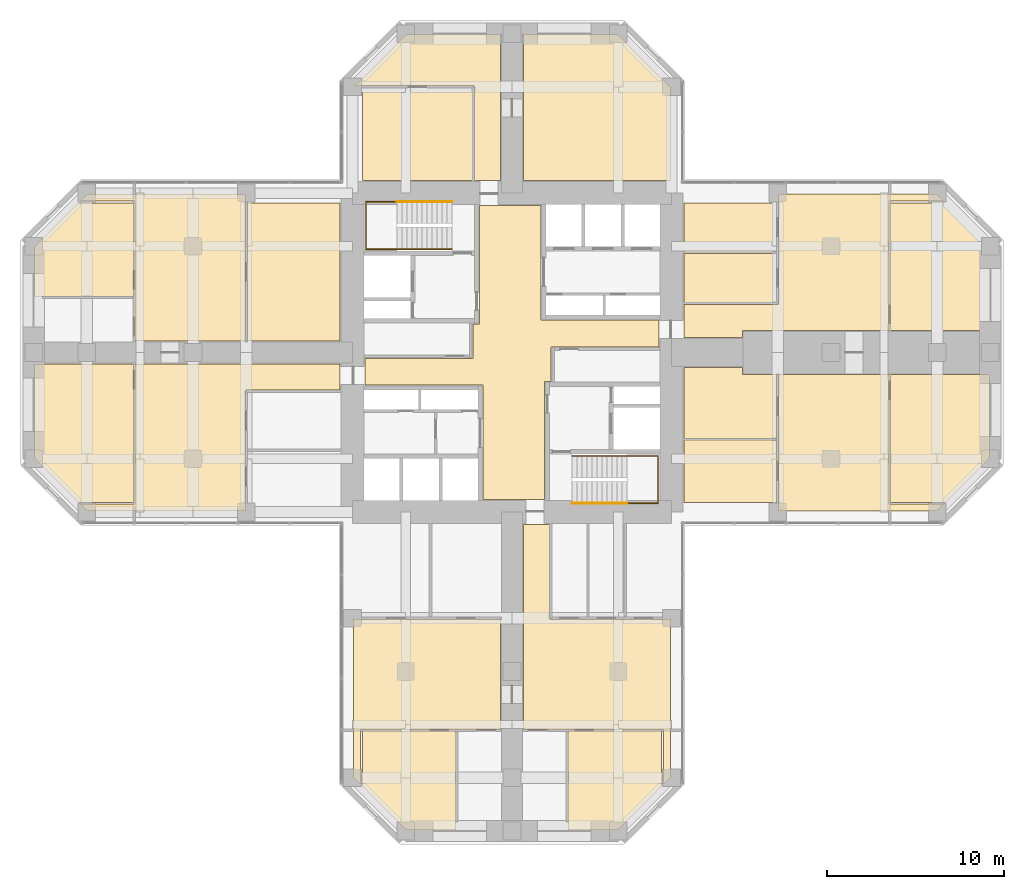
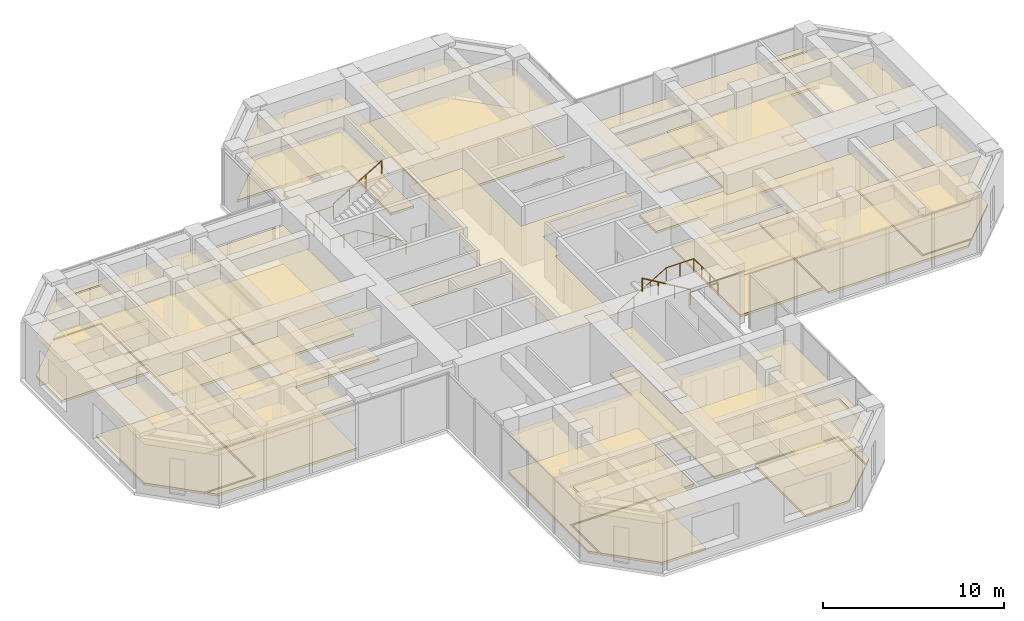
# One storey, part 13 of 13: 37 coverings, 4 railings.
"""IFC4 building model written with IfcOpenShell, lengths in metres."""

import ifcopenshell
import ifcopenshell.guid

model = None  # the IFC model being written
_history = None  # IfcOwnerHistory: only IFC2X3 demands one
_inside = {}  # id of a spatial element -> (the spatial element, [elements in it])
_under = {}  # id of a project, library or spatial element -> (it, [spatial elements below it])
_declared = {}  # id of a project -> (the project, [libraries it declares])
_typed = {}  # id of a type object -> (the type object, [elements of that type])
_made_of = {}  # id of a material, layer set ... -> (it, [elements and type objects made of it])


def new_model(schema):
    """Start an empty IFC model of exactly this schema.

    Asked for "IFC4X3", IfcOpenShell would pick the latest addendum, in which some entities
    have other attributes; the version numbers below select the first issue.
    IFC2X3 requires an IfcOwnerHistory on every rooted entity: one is made here for all.
    """
    global model, _history
    if schema == "IFC4X3":
        model = ifcopenshell.file(schema_version=(4, 3, 0, 0))
    else:
        model = ifcopenshell.file(schema=schema)
    _inside.clear()
    _under.clear()
    _declared.clear()
    _typed.clear()
    _made_of.clear()
    _history = None
    if model.schema == "IFC2X3":
        org = make("IfcOrganization", Name="unknown")
        user = make(
            "IfcPersonAndOrganization",
            ThePerson=make("IfcPerson", FamilyName="unknown"),
            TheOrganization=org,
        )
        app = make(
            "IfcApplication",
            ApplicationDeveloper=org,
            Version="unknown",
            ApplicationFullName="unknown",
            ApplicationIdentifier="unknown",
        )
        _history = make(
            "IfcOwnerHistory",
            OwningUser=user,
            OwningApplication=app,
            ChangeAction="ADDED",
            CreationDate=0,
        )
    return model


def make(cls, **values):
    """One entity of the class cls with the attributes given. An attribute that is None is left unset."""
    return model.create_entity(
        cls, **{name: value for name, value in values.items() if value is not None}
    )


def rooted(cls, **values):
    """An entity with a GlobalId (a new one), such as an element, a storey or a relation."""
    return make(cls, GlobalId=ifcopenshell.guid.new(), OwnerHistory=_history, **values)


def si_unit(unit_type, name, prefix=None):
    """IfcSIUnit, for example si_unit("LENGTHUNIT", "METRE", prefix="MILLI")."""
    return make("IfcSIUnit", UnitType=unit_type, Prefix=prefix, Name=name)


def assignment(units):
    """IfcUnitAssignment: the units of a project."""
    return None if units is None else make("IfcUnitAssignment", Units=units)


def point(xyz):
    """IfcCartesianPoint."""
    return None if xyz is None else make("IfcCartesianPoint", Coordinates=xyz)


def direction(xyz):
    """IfcDirection."""
    return None if xyz is None else make("IfcDirection", DirectionRatios=xyz)


def frame(location, z_axis=None, x_axis=None):
    """IfcAxis2Placement3D, a coordinate frame: its origin and axes. An axis left out is left unset."""
    return make(
        "IfcAxis2Placement3D",
        Location=point(location),
        Axis=direction(z_axis),
        RefDirection=direction(x_axis),
    )


def frame_2d(location, x_axis=None):
    """IfcAxis2Placement2D, a coordinate frame in the plane: its origin and x axis."""
    return make(
        "IfcAxis2Placement2D", Location=point(location), RefDirection=direction(x_axis)
    )


def origin():
    """The frame at (0, 0, 0) with its axes left unset."""
    return frame((0.0, 0.0, 0.0))


def origin_2d():
    """The frame at (0, 0) in the plane with its x axis left unset."""
    return frame_2d((0.0, 0.0))


def place(relative_to, where):
    """IfcLocalPlacement: puts the frame where relative to a parent placement (None: the world)."""
    return make(
        "IfcLocalPlacement", PlacementRelTo=relative_to, RelativePlacement=where
    )


def context(
    kind, dimensions, precision=None, world=None, true_north=None, identifier=None
):
    """IfcGeometricRepresentationContext, for example the 3D "Model" context."""
    return make(
        "IfcGeometricRepresentationContext",
        ContextIdentifier=identifier,
        ContextType=kind,
        CoordinateSpaceDimension=dimensions,
        Precision=precision,
        WorldCoordinateSystem=world,
        TrueNorth=true_north,
    )


def subcontext(parent, identifier, kind, view, scale=None):
    """IfcGeometricRepresentationSubContext, for example "Body" below "Model"."""
    return make(
        "IfcGeometricRepresentationSubContext",
        ContextIdentifier=identifier,
        ContextType=kind,
        ParentContext=parent,
        TargetScale=scale,
        TargetView=view,
    )


def project(units=None, contexts=None):
    """IfcProject with its units and contexts."""
    return rooted(
        "IfcProject",
        Name="project",
        RepresentationContexts=contexts,
        UnitsInContext=assignment(units),
    )


def spatial(cls, under=None, at=None, **own):
    """A site, building, storey or space (cls), placed at a placement, below another one or the project."""
    s = rooted(cls, ObjectPlacement=at, **own)
    if under is not None:
        _under.setdefault(under.id(), (under, []))[1].append(s)
    return s


def polyline(points):
    """IfcPolyline through the points."""
    return make("IfcPolyline", Points=[point(p) for p in points])


def profile(cls, at=None, kind="AREA", **sizes):
    """A parametric profile (cls). Its sizes go by their IFC names, for example OverallWidth=200.0."""
    return make(cls, ProfileType=kind, Position=at, **sizes)


def circle(**sizes):
    """IfcCircleProfileDef."""
    return profile("IfcCircleProfileDef", **sizes)


def outline(outer, holes=None, kind="AREA"):
    """IfcArbitraryClosedProfileDef: a profile drawn as a closed curve; with holes, ...WithVoids."""
    if holes is None:
        return make("IfcArbitraryClosedProfileDef", ProfileType=kind, OuterCurve=outer)
    return make(
        "IfcArbitraryProfileDefWithVoids",
        ProfileType=kind,
        OuterCurve=outer,
        InnerCurves=holes,
    )


def extrude(swept, where, along, depth):
    """IfcExtrudedAreaSolid: the profile swept, set in the frame where, extruded along a direction by depth."""
    return make(
        "IfcExtrudedAreaSolid",
        SweptArea=swept,
        Position=where,
        ExtrudedDirection=direction(along),
        Depth=depth,
    )


def shape(context_of_items, identifier, shape_type, items):
    """IfcShapeRepresentation: the items that make up one representation, for example the "Body"."""
    return make(
        "IfcShapeRepresentation",
        ContextOfItems=context_of_items,
        RepresentationIdentifier=identifier,
        RepresentationType=shape_type,
        Items=items,
    )


def material(Name=None, Category=None):
    """IfcMaterial."""
    return make("IfcMaterial", Name=Name, Category=Category)


def layer(
    of_material, thickness, ventilated=None, Name=None, Category=None, Priority=None
):
    """IfcMaterialLayer: one layer of a wall or slab, of a material (None: an air gap)."""
    return make(
        "IfcMaterialLayer",
        Material=of_material,
        LayerThickness=thickness,
        IsVentilated=ventilated,
        Name=Name,
        Category=Category,
        Priority=Priority,
    )


def layer_set(layers, Name=None):
    """IfcMaterialLayerSet."""
    return make("IfcMaterialLayerSet", MaterialLayers=layers, LayerSetName=Name)


def constituent(of_material, Name=None, Category=None, fraction=None):
    """IfcMaterialConstituent: one of the materials an element consists of."""
    return make(
        "IfcMaterialConstituent",
        Name=Name,
        Material=of_material,
        Fraction=fraction,
        Category=Category,
    )


def constituent_set(constituents=None, Name=None):
    """IfcMaterialConstituentSet."""
    return make(
        "IfcMaterialConstituentSet", Name=Name, MaterialConstituents=constituents
    )


def made_of(thing, what):
    """Note that an element or type object is made of a material, layer set ...; save() writes the relation."""
    if what is not None:
        _made_of.setdefault(what.id(), (what, []))[1].append(thing)
    return thing


def type_object(cls, material=None, **own):
    """A type object (cls), such as IfcWallType, which elements share."""
    return made_of(rooted(cls, **own), material)


def element(
    cls,
    number,
    at=None,
    inside=None,
    cuts=None,
    type_object=None,
    material=None,
    context=None,
    identifier="Body",
    shape_type=None,
    held_by="IfcProductDefinitionShape",
    body=None,
    shapes=None,
    **own,
):
    """One element of the class cls, such as IfcWall. Its Tag is "e" and its number.

    at: its placement. inside: the storey or other place that contains it. cuts: it is an
    opening in that element (IfcRelVoidsElement). A single representation is given by context,
    identifier, shape_type and body (its items); several are given by shapes. held_by: the class
    of the entity that holds the representations. save() writes the other relations.
    """
    e = rooted(cls, Tag="e%d" % number, ObjectPlacement=at, **own)
    if body is not None:
        shapes = [shape(context, identifier, shape_type, body)]
    if shapes is not None:
        e.Representation = make(held_by, Representations=shapes)
    if inside is not None:
        _inside.setdefault(inside.id(), (inside, []))[1].append(e)
    if cuts is not None:
        rooted(
            "IfcRelVoidsElement", RelatingBuildingElement=cuts, RelatedOpeningElement=e
        )
    if type_object is not None:
        _typed.setdefault(type_object.id(), (type_object, []))[1].append(e)
    return made_of(e, material)


def aggregate(whole, parts):
    """IfcRelAggregates: a whole, such as a stair, and the parts it consists of."""
    return rooted("IfcRelAggregates", RelatingObject=whole, RelatedObjects=parts)


def save(model, path):
    """Write the relations noted so far, then the file.

    IfcRelAggregates (storeys below a building ...), IfcRelContainedInSpatialStructure (elements
    in a storey), IfcRelDefinesByType, IfcRelAssociatesMaterial and IfcRelDeclares: one each for
    every whole, place, type object, material and project.
    """
    for whole, parts in _under.values():
        aggregate(whole, parts)
    for where, things in _inside.values():
        rooted(
            "IfcRelContainedInSpatialStructure",
            RelatedElements=things,
            RelatingStructure=where,
        )
    for kind, things in _typed.values():
        rooted("IfcRelDefinesByType", RelatedObjects=things, RelatingType=kind)
    for what, things in _made_of.values():
        rooted("IfcRelAssociatesMaterial", RelatedObjects=things, RelatingMaterial=what)
    for by, libraries in _declared.values():
        rooted("IfcRelDeclares", RelatingContext=by, RelatedDefinitions=libraries)
    model.write(path)


model = new_model("IFC4")

# Units and contexts
model_context = context("Model", 3, precision=1e-05, world=origin(), true_north=direction((0.0, 1.0)))
body_context = subcontext(model_context, "Body", "Model", "MODEL_VIEW")
ifc_project = project(units=[si_unit("LENGTHUNIT", "METRE"), si_unit("AREAUNIT", "SQUARE_METRE"), si_unit("VOLUMEUNIT", "CUBIC_METRE"), si_unit("PLANEANGLEUNIT", "RADIAN"), si_unit("MASSUNIT", "GRAM", prefix="KILO")], contexts=[model_context])

# Site, building, storey
site_placement = place(None, origin())
site = spatial("IfcSite", under=ifc_project, at=site_placement, CompositionType="ELEMENT")
building_placement = place(site_placement, origin())
building = spatial("IfcBuilding", under=site, at=building_placement, Name="Torre Cruceta", CompositionType="ELEMENT")
storey_placement = place(building_placement, frame((0.0, 0.0, 160.5)))
storey = spatial("IfcBuildingStorey", under=building, at=storey_placement, Name="L39", CompositionType="ELEMENT", Elevation=160.5)

# Railings
ifc_material_1 = material(Name="Stainless steel 1.4401", Category="steel")
railing_type = type_object("IfcRailingType", Name="HANDRAIL 900", PredefinedType="HANDRAIL", material=ifc_material_1)
railing_1_placement = place(storey_placement, frame((-3.39990234375, 5.8349609375, 0.166748046875)))
element("IfcRailing", 1, at=railing_1_placement, inside=storey, type_object=railing_type, Name="Handrail HR1 ST1 L39", PredefinedType="HANDRAIL", context=body_context, shape_type="SweptSolid", body=[
    extrude(circle(Radius=0.02392578125, at=origin_2d()), frame((0.0, 0.0, 0.8759765625), z_axis=(-0.859308565015, 0.0, 0.511457515432), x_axis=(0.0, -1.0, 0.0)), (0.0, 0.0, 1.0), 3.58447265625),
    extrude(circle(Radius=0.02392578125, at=origin_2d()), frame((-3.080078125, 0.0, 2.708984375), z_axis=(-1.0, 0.0, 0.0), x_axis=(0.0, -1.0, 0.0)), (0.0, 0.0, 1.0), 1.760009765625),
    extrude(circle(Radius=0.02392578125, at=origin_2d()), frame((-4.840087890625, 0.0, 2.708984375), z_axis=(0.0, 1.0, 0.0), x_axis=(-1.0, 0.0, 0.0)), (0.0, 0.0, 1.0), 2.679931640625),
    extrude(circle(Radius=0.02392578125, at=origin_2d()), frame((-4.840087890625, 2.679931640625, 2.708984375), z_axis=(1.0, 0.0, 0.0), x_axis=(0.0, 1.0, 0.0)), (0.0, 0.0, 1.0), 1.760009765625),
    extrude(circle(Radius=0.02099609375, at=origin_2d()), origin(), (0.0, 0.0, 1.0), 0.851806640625),
    extrude(circle(Radius=0.02099609375, at=origin_2d()), frame((-1.026611328125, 0.0, 0.611083984375)), (0.0, 0.0, 1.0), 0.851806640625),
    extrude(circle(Radius=0.02099609375, at=origin_2d()), frame((-2.053466796875, 0.0, 1.22216796875)), (0.0, 0.0, 1.0), 0.851806640625),
    extrude(circle(Radius=0.02099609375, at=origin_2d()), frame((-3.080078125, 0.0, 1.833251953125)), (0.0, 0.0, 1.0), 0.851806640625),
    extrude(circle(Radius=0.02099609375, at=origin_2d()), frame((-3.9599609375, 0.0, 1.833251953125)), (0.0, 0.0, 1.0), 0.851806640625),
    extrude(circle(Radius=0.02099609375, at=origin_2d()), frame((-4.840087890625, 0.0, 1.833251953125)), (0.0, 0.0, 1.0), 0.851806640625),
    extrude(circle(Radius=0.02099609375, at=origin_2d()), frame((-4.840087890625, 0.893310546875, 1.833251953125)), (0.0, 0.0, 1.0), 0.851806640625),
    extrude(circle(Radius=0.02099609375, at=origin_2d()), frame((-4.840087890625, 1.78662109375, 1.833251953125)), (0.0, 0.0, 1.0), 0.851806640625),
    extrude(circle(Radius=0.02099609375, at=origin_2d()), frame((-4.840087890625, 2.679931640625, 1.833251953125)), (0.0, 0.0, 1.0), 0.851806640625),
    extrude(circle(Radius=0.02099609375, at=origin_2d()), frame((-3.9599609375, 2.679931640625, 1.833251953125)), (0.0, 0.0, 1.0), 0.851806640625),
    extrude(circle(Radius=0.02099609375, at=origin_2d()), frame((-3.080078125, 2.679931640625, 1.833251953125)), (0.0, 0.0, 1.0), 0.851806640625),
])
railing_2_placement = place(storey_placement, frame((-6.47998046875, 8.514892578125, 2.166748046875)))
element("IfcRailing", 2, at=railing_2_placement, inside=storey, type_object=railing_type, Name="Handrail HR1 ST1 L39", PredefinedType="HANDRAIL", context=body_context, shape_type="SweptSolid", body=[
    extrude(circle(Radius=0.02392578125, at=origin_2d()), frame((0.0, 0.0, 0.8759765625), z_axis=(0.859308565015, 0.0, 0.511457515432), x_axis=(0.0, 1.0, 0.0)), (0.0, 0.0, 1.0), 3.58447265625),
    extrude(circle(Radius=0.02099609375, at=origin_2d()), origin(), (0.0, 0.0, 1.0), 0.851806640625),
    extrude(circle(Radius=0.02099609375, at=origin_2d()), frame((1.026611328125, 0.0, 0.611083984375)), (0.0, 0.0, 1.0), 0.851806640625),
    extrude(circle(Radius=0.02099609375, at=origin_2d()), frame((2.053466796875, 0.0, 1.22216796875)), (0.0, 0.0, 1.0), 0.851806640625),
    extrude(circle(Radius=0.02099609375, at=origin_2d()), frame((3.080078125, 0.0, 1.833251953125)), (0.0, 0.0, 1.0), 0.851806640625),
])
railing_3_placement = place(storey_placement, frame((3.39990234375, -5.8349609375, 0.166748046875)))
element("IfcRailing", 3, at=railing_3_placement, inside=storey, type_object=railing_type, Name="Handrail HR1 ST2 L39", PredefinedType="HANDRAIL", context=body_context, shape_type="SweptSolid", body=[
    extrude(circle(Radius=0.02392578125, at=origin_2d()), frame((0.0, 0.0, 0.8759765625), z_axis=(0.859308565015, 0.0, 0.511457515432), x_axis=(0.0, 1.0, 0.0)), (0.0, 0.0, 1.0), 3.58447265625),
    extrude(circle(Radius=0.02392578125, at=origin_2d()), frame((3.080078125, 0.0, 2.708984375), z_axis=(1.0, 0.0, 0.0), x_axis=(0.0, 1.0, 0.0)), (0.0, 0.0, 1.0), 1.760009765625),
    extrude(circle(Radius=0.02392578125, at=origin_2d()), frame((4.840087890625, 0.0, 2.708984375), z_axis=(0.0, -1.0, 0.0), x_axis=(1.0, 0.0, 0.0)), (0.0, 0.0, 1.0), 2.679931640625),
    extrude(circle(Radius=0.02392578125, at=origin_2d()), frame((4.840087890625, -2.679931640625, 2.708984375), z_axis=(-1.0, 0.0, 0.0), x_axis=(0.0, -1.0, 0.0)), (0.0, 0.0, 1.0), 1.760009765625),
    extrude(circle(Radius=0.02099609375, at=origin_2d()), origin(), (0.0, 0.0, 1.0), 0.851806640625),
    extrude(circle(Radius=0.02099609375, at=origin_2d()), frame((1.026611328125, 0.0, 0.611083984375)), (0.0, 0.0, 1.0), 0.851806640625),
    extrude(circle(Radius=0.02099609375, at=origin_2d()), frame((2.053466796875, 0.0, 1.22216796875)), (0.0, 0.0, 1.0), 0.851806640625),
    extrude(circle(Radius=0.02099609375, at=origin_2d()), frame((3.080078125, 0.0, 1.833251953125)), (0.0, 0.0, 1.0), 0.851806640625),
    extrude(circle(Radius=0.02099609375, at=origin_2d()), frame((3.9599609375, 0.0, 1.833251953125)), (0.0, 0.0, 1.0), 0.851806640625),
    extrude(circle(Radius=0.02099609375, at=origin_2d()), frame((4.840087890625, 0.0, 1.833251953125)), (0.0, 0.0, 1.0), 0.851806640625),
    extrude(circle(Radius=0.02099609375, at=origin_2d()), frame((4.840087890625, -0.893310546875, 1.833251953125)), (0.0, 0.0, 1.0), 0.851806640625),
    extrude(circle(Radius=0.02099609375, at=origin_2d()), frame((4.840087890625, -1.78662109375, 1.833251953125)), (0.0, 0.0, 1.0), 0.851806640625),
    extrude(circle(Radius=0.02099609375, at=origin_2d()), frame((4.840087890625, -2.679931640625, 1.833251953125)), (0.0, 0.0, 1.0), 0.851806640625),
    extrude(circle(Radius=0.02099609375, at=origin_2d()), frame((3.9599609375, -2.679931640625, 1.833251953125)), (0.0, 0.0, 1.0), 0.851806640625),
    extrude(circle(Radius=0.02099609375, at=origin_2d()), frame((3.080078125, -2.679931640625, 1.833251953125)), (0.0, 0.0, 1.0), 0.851806640625),
])
railing_4_placement = place(storey_placement, frame((6.47998046875, -8.514892578125, 2.166748046875)))
element("IfcRailing", 4, at=railing_4_placement, inside=storey, type_object=railing_type, Name="Handrail HR1 ST2 L39", PredefinedType="HANDRAIL", context=body_context, shape_type="SweptSolid", body=[
    extrude(circle(Radius=0.02392578125, at=origin_2d()), frame((0.0, 0.0, 0.8759765625), z_axis=(-0.859308565015, 0.0, 0.511457515432), x_axis=(0.0, -1.0, 0.0)), (0.0, 0.0, 1.0), 3.58447265625),
    extrude(circle(Radius=0.02099609375, at=origin_2d()), origin(), (0.0, 0.0, 1.0), 0.851806640625),
    extrude(circle(Radius=0.02099609375, at=origin_2d()), frame((-1.026611328125, 0.0, 0.611083984375)), (0.0, 0.0, 1.0), 0.851806640625),
    extrude(circle(Radius=0.02099609375, at=origin_2d()), frame((-2.053466796875, 0.0, 1.22216796875)), (0.0, 0.0, 1.0), 0.851806640625),
    extrude(circle(Radius=0.02099609375, at=origin_2d()), frame((-3.080078125, 0.0, 1.833251953125)), (0.0, 0.0, 1.0), 0.851806640625),
])

# Coverings
ifc_material_2 = material(Name="Steel DX51D", Category="steel")
ifc_constituent_1 = constituent(ifc_material_2, Name="Panel casing")
ifc_material_3 = material(Name="Calcium sulphate", Category="gypsum")
ifc_constituent_2 = constituent(ifc_material_3, Name="Panel core")
ifc_constituent_set = constituent_set(constituents=[ifc_constituent_1, ifc_constituent_2], Name="Raised access floor panel")
covering_type_1 = type_object("IfcCoveringType", Name="RAISED ACCESS FLOOR 150", PredefinedType="FLOORING", material=ifc_constituent_set)
covering_1_placement = place(storey_placement, origin())
element("IfcCovering", 5, at=covering_1_placement, inside=storey, type_object=covering_type_1, Name="Raised floor L39-026", PredefinedType="FLOORING", context=body_context, shape_type="SweptSolid", body=[
    extrude(outline(polyline([(-0.64990234375, 17.949951171875), (-0.64990234375, 9.699951171875), (-2.125, 9.699951171875), (-2.125, 15.050048828125), (-8.87939453125, 15.050048828125), (-5.979248046875, 17.949951171875), (-0.64990234375, 17.949951171875)])), origin(), (0.0, 0.0, 1.0), 0.14990234375),
])
covering_2_placement = place(storey_placement, origin())
element("IfcCovering", 6, at=covering_2_placement, inside=storey, type_object=covering_type_1, Name="Raised floor L39-027", PredefinedType="FLOORING", context=body_context, shape_type="SweptSolid", body=[
    extrude(outline(polyline([(5.979248046875, 17.949951171875), (8.949951171875, 14.979248046875), (8.949951171875, 9.699951171875), (0.64990234375, 9.699951171875), (0.64990234375, 17.949951171875), (5.979248046875, 17.949951171875)])), origin(), (0.0, 0.0, 1.0), 0.14990234375),
])
covering_3_placement = place(storey_placement, origin())
element("IfcCovering", 7, at=covering_3_placement, inside=storey, type_object=covering_type_1, Name="Raised floor L39-030", PredefinedType="FLOORING", context=body_context, shape_type="SweptSolid", body=[
    extrude(outline(polyline([(14.949951171875, -4.85009765625), (9.699951171875, -4.85009765625), (9.699951171875, -0.85009765625), (13.0, -0.85009765625), (13.0, -1.25), (14.949951171875, -1.25), (14.949951171875, -4.85009765625)])), origin(), (0.0, 0.0, 1.0), 0.14990234375),
])
covering_4_placement = place(storey_placement, origin())
element("IfcCovering", 8, at=covering_4_placement, inside=storey, type_object=covering_type_1, Name="Raised floor L39-031", PredefinedType="FLOORING", context=body_context, shape_type="SweptSolid", body=[
    extrude(outline(polyline([(9.699951171875, -8.449951171875), (9.699951171875, -4.949951171875), (14.949951171875, -4.949951171875), (14.949951171875, -8.449951171875), (9.699951171875, -8.449951171875)])), origin(), (0.0, 0.0, 1.0), 0.14990234375),
])
covering_5_placement = place(storey_placement, origin())
element("IfcCovering", 9, at=covering_5_placement, inside=storey, type_object=covering_type_1, Name="Raised floor L39-033", PredefinedType="FLOORING", context=body_context, shape_type="SweptSolid", body=[
    extrude(outline(polyline([(24.479248046875, -8.449951171875), (21.3701171875, -8.449951171875), (21.3701171875, -1.25), (26.949951171875, -1.25), (26.949951171875, -5.979248046875), (24.479248046875, -8.449951171875)])), origin(), (0.0, 0.0, 1.0), 0.14990234375),
])
covering_6_placement = place(storey_placement, origin())
element("IfcCovering", 10, at=covering_6_placement, inside=storey, type_object=covering_type_1, Name="Raised floor L39-034", PredefinedType="FLOORING", context=body_context, shape_type="SweptSolid", body=[
    extrude(outline(polyline([(9.699951171875, 2.72509765625), (15.050048828125, 2.72509765625), (15.050048828125, 8.949951171875), (23.979248046875, 8.949951171875), (24.37939453125, 8.550048828125), (21.27001953125, 8.550048828125), (21.27001953125, 1.25), (13.0, 1.25), (13.0, 0.85009765625), (9.699951171875, 0.85009765625), (9.699951171875, 2.72509765625)])), origin(), (0.0, 0.0, 1.0), 0.14990234375),
])
covering_7_placement = place(storey_placement, origin())
element("IfcCovering", 11, at=covering_7_placement, inside=storey, type_object=covering_type_1, Name="Raised floor L39-035", PredefinedType="FLOORING", context=body_context, shape_type="SweptSolid", body=[
    extrude(outline(polyline([(15.050048828125, -8.949951171875), (15.050048828125, -1.25), (21.27001953125, -1.25), (21.27001953125, -8.550048828125), (24.37939453125, -8.550048828125), (23.979248046875, -8.949951171875), (15.050048828125, -8.949951171875)])), origin(), (0.0, 0.0, 1.0), 0.14990234375),
])
covering_8_placement = place(storey_placement, origin())
element("IfcCovering", 12, at=covering_8_placement, inside=storey, type_object=covering_type_1, Name="Raised floor L39-042", PredefinedType="FLOORING", context=body_context, shape_type="SweptSolid", body=[
    extrude(outline(polyline([(3.16796875, -26.949951171875), (3.16796875, -21.3701171875), (8.449951171875, -21.3701171875), (8.449951171875, -24.479248046875), (5.979248046875, -26.949951171875), (3.16796875, -26.949951171875)])), origin(), (0.0, 0.0, 1.0), 0.14990234375),
])
covering_9_placement = place(storey_placement, origin())
element("IfcCovering", 13, at=covering_9_placement, inside=storey, type_object=covering_type_1, Name="Raised floor L39-044", PredefinedType="FLOORING", context=body_context, shape_type="SweptSolid", body=[
    extrude(outline(polyline([(-8.449951171875, -24.479248046875), (-8.449951171875, -21.3701171875), (-3.16796875, -21.3701171875), (-3.16796875, -26.949951171875), (-5.979248046875, -26.949951171875), (-8.449951171875, -24.479248046875)])), origin(), (0.0, 0.0, 1.0), 0.14990234375),
])
covering_10_placement = place(storey_placement, origin())
element("IfcCovering", 14, at=covering_10_placement, inside=storey, type_object=covering_type_1, Name="Raised floor L39-045", PredefinedType="FLOORING", context=body_context, shape_type="SweptSolid", body=[
    extrude(outline(polyline([(2.125, -9.699951171875), (2.125, -15.050048828125), (8.949951171875, -15.050048828125), (8.949951171875, -23.979248046875), (8.550048828125, -24.37939453125), (8.550048828125, -21.27001953125), (0.64990234375, -21.27001953125), (0.64990234375, -9.699951171875), (2.125, -9.699951171875)])), origin(), (0.0, 0.0, 1.0), 0.14990234375),
])
covering_11_placement = place(storey_placement, origin())
element("IfcCovering", 15, at=covering_11_placement, inside=storey, type_object=covering_type_1, Name="Raised floor L39-046", PredefinedType="FLOORING", context=body_context, shape_type="SweptSolid", body=[
    extrude(outline(polyline([(-8.949951171875, -15.050048828125), (-0.64990234375, -15.050048828125), (-0.64990234375, -21.27001953125), (-8.550048828125, -21.27001953125), (-8.550048828125, -24.37939453125), (-8.949951171875, -23.979248046875), (-8.949951171875, -15.050048828125)])), origin(), (0.0, 0.0, 1.0), 0.14990234375),
])
covering_12_placement = place(storey_placement, origin())
element("IfcCovering", 16, at=covering_12_placement, inside=storey, type_object=covering_type_1, Name="Raised floor L39-049", PredefinedType="FLOORING", context=body_context, shape_type="SweptSolid", body=[
    extrude(outline(polyline([(-9.699951171875, 8.449951171875), (-9.699951171875, 0.64990234375), (-14.949951171875, 0.64990234375), (-14.949951171875, 8.449951171875), (-9.699951171875, 8.449951171875)])), origin(), (0.0, 0.0, 1.0), 0.14990234375),
])
covering_13_placement = place(storey_placement, origin())
element("IfcCovering", 17, at=covering_13_placement, inside=storey, type_object=covering_type_1, Name="Raised floor L39-050", PredefinedType="FLOORING", context=body_context, shape_type="SweptSolid", body=[
    extrude(outline(polyline([(-26.949951171875, -0.64990234375), (-21.3701171875, -0.64990234375), (-21.3701171875, -8.449951171875), (-24.479248046875, -8.449951171875), (-26.949951171875, -5.979248046875), (-26.949951171875, -0.64990234375)])), origin(), (0.0, 0.0, 1.0), 0.14990234375),
])
covering_14_placement = place(storey_placement, origin())
element("IfcCovering", 18, at=covering_14_placement, inside=storey, type_object=covering_type_1, Name="Raised floor L39-052", PredefinedType="FLOORING", context=body_context, shape_type="SweptSolid", body=[
    extrude(outline(polyline([(-24.479248046875, 8.449951171875), (-21.3701171875, 8.449951171875), (-21.3701171875, 3.16796875), (-26.949951171875, 3.16796875), (-26.949951171875, 5.979248046875), (-24.479248046875, 8.449951171875)])), origin(), (0.0, 0.0, 1.0), 0.14990234375),
])
covering_15_placement = place(storey_placement, origin())
element("IfcCovering", 19, at=covering_15_placement, inside=storey, type_object=covering_type_1, Name="Raised floor L39-053", PredefinedType="FLOORING", context=body_context, shape_type="SweptSolid", body=[
    extrude(outline(polyline([(-9.699951171875, -2.125), (-15.050048828125, -2.125), (-15.050048828125, -8.949951171875), (-23.979248046875, -8.949951171875), (-24.37939453125, -8.550048828125), (-21.27001953125, -8.550048828125), (-21.27001953125, -0.64990234375), (-9.699951171875, -0.64990234375), (-9.699951171875, -2.125)])), origin(), (0.0, 0.0, 1.0), 0.14990234375),
])
covering_16_placement = place(storey_placement, origin())
element("IfcCovering", 20, at=covering_16_placement, inside=storey, type_object=covering_type_1, Name="Raised floor L39-054", PredefinedType="FLOORING", context=body_context, shape_type="SweptSolid", body=[
    extrude(outline(polyline([(-15.050048828125, 8.949951171875), (-15.050048828125, 0.64990234375), (-21.27001953125, 0.64990234375), (-21.27001953125, 8.550048828125), (-24.37939453125, 8.550048828125), (-23.979248046875, 8.949951171875), (-15.050048828125, 8.949951171875)])), origin(), (0.0, 0.0, 1.0), 0.14990234375),
])
ifc_material_4 = material(Name="Mineral fibre ceiling tile", Category="gypsum")
ifc_layer = layer(ifc_material_4, 0.02001953125)
ifc_layer_set = layer_set([ifc_layer], Name="Mineral fibre ceiling tile")
covering_type_2 = type_object("IfcCoveringType", Name="SUSPENDED CEILING 20", PredefinedType="CEILING", material=ifc_layer_set)
covering_17_placement = place(storey_placement, frame((0.0, 0.0, 2.72998046875)))
element("IfcCovering", 21, at=covering_17_placement, inside=storey, type_object=covering_type_2, Name="Ceiling L39-001", PredefinedType="CEILING", context=body_context, shape_type="SweptSolid", body=[
    extrude(outline(polyline([(1.824951171875, -8.300048828125), (-1.625, -8.300048828125), (-1.625, -1.824951171875), (-8.300048828125, -1.824951171875), (-8.300048828125, -0.324951171875), (-2.199951171875, -0.324951171875), (-2.199951171875, 1.625), (-1.824951171875, 1.625), (-1.824951171875, 8.300048828125), (1.625, 8.300048828125), (1.625, 1.824951171875), (8.300048828125, 1.824951171875), (8.300048828125, 0.324951171875), (2.199951171875, 0.324951171875), (2.199951171875, -1.625), (1.824951171875, -1.625), (1.824951171875, -8.300048828125)])), origin(), (0.0, 0.0, 1.0), 0.02001953125),
])
covering_18_placement = place(storey_placement, frame((0.0, 0.0, 2.72998046875)))
element("IfcCovering", 22, at=covering_18_placement, inside=storey, type_object=covering_type_2, Name="Ceiling L39-025", PredefinedType="CEILING", context=body_context, shape_type="SweptSolid", body=[
    extrude(outline(polyline([(-2.22509765625, 9.699951171875), (-8.449951171875, 9.699951171875), (-8.449951171875, 14.949951171875), (-2.22509765625, 14.949951171875), (-2.22509765625, 9.699951171875)])), origin(), (0.0, 0.0, 1.0), 0.02001953125),
])
covering_19_placement = place(storey_placement, frame((0.0, 0.0, 2.72998046875)))
element("IfcCovering", 23, at=covering_19_placement, inside=storey, type_object=covering_type_2, Name="Ceiling L39-026", PredefinedType="CEILING", context=body_context, shape_type="SweptSolid", body=[
    extrude(outline(polyline([(-0.64990234375, 17.949951171875), (-0.64990234375, 9.699951171875), (-2.125, 9.699951171875), (-2.125, 15.050048828125), (-8.87939453125, 15.050048828125), (-5.979248046875, 17.949951171875), (-0.64990234375, 17.949951171875)])), origin(), (0.0, 0.0, 1.0), 0.02001953125),
])
covering_20_placement = place(storey_placement, frame((0.0, 0.0, 2.72998046875)))
element("IfcCovering", 24, at=covering_20_placement, inside=storey, type_object=covering_type_2, Name="Ceiling L39-027", PredefinedType="CEILING", context=body_context, shape_type="SweptSolid", body=[
    extrude(outline(polyline([(5.979248046875, 17.949951171875), (8.949951171875, 14.979248046875), (8.949951171875, 9.699951171875), (0.64990234375, 9.699951171875), (0.64990234375, 17.949951171875), (5.979248046875, 17.949951171875)])), origin(), (0.0, 0.0, 1.0), 0.02001953125),
])
covering_21_placement = place(storey_placement, frame((0.0, 0.0, 2.72998046875)))
element("IfcCovering", 25, at=covering_21_placement, inside=storey, type_object=covering_type_2, Name="Ceiling L39-028", PredefinedType="CEILING", context=body_context, shape_type="SweptSolid", body=[
    extrude(outline(polyline([(9.699951171875, 2.824951171875), (9.699951171875, 5.58740234375), (14.949951171875, 5.58740234375), (14.949951171875, 2.824951171875), (9.699951171875, 2.824951171875)])), origin(), (0.0, 0.0, 1.0), 0.02001953125),
])
covering_22_placement = place(storey_placement, frame((0.0, 0.0, 2.72998046875)))
element("IfcCovering", 26, at=covering_22_placement, inside=storey, type_object=covering_type_2, Name="Ceiling L39-029", PredefinedType="CEILING", context=body_context, shape_type="SweptSolid", body=[
    extrude(outline(polyline([(9.699951171875, 5.6875), (9.699951171875, 8.449951171875), (14.949951171875, 8.449951171875), (14.949951171875, 5.6875), (9.699951171875, 5.6875)])), origin(), (0.0, 0.0, 1.0), 0.02001953125),
])
covering_23_placement = place(storey_placement, frame((0.0, 0.0, 2.72998046875)))
element("IfcCovering", 27, at=covering_23_placement, inside=storey, type_object=covering_type_2, Name="Ceiling L39-030", PredefinedType="CEILING", context=body_context, shape_type="SweptSolid", body=[
    extrude(outline(polyline([(14.949951171875, -4.85009765625), (9.699951171875, -4.85009765625), (9.699951171875, -0.85009765625), (13.0, -0.85009765625), (13.0, -1.25), (14.949951171875, -1.25), (14.949951171875, -4.85009765625)])), origin(), (0.0, 0.0, 1.0), 0.02001953125),
])
covering_24_placement = place(storey_placement, frame((0.0, 0.0, 2.72998046875)))
element("IfcCovering", 28, at=covering_24_placement, inside=storey, type_object=covering_type_2, Name="Ceiling L39-031", PredefinedType="CEILING", context=body_context, shape_type="SweptSolid", body=[
    extrude(outline(polyline([(9.699951171875, -8.449951171875), (9.699951171875, -4.949951171875), (14.949951171875, -4.949951171875), (14.949951171875, -8.449951171875), (9.699951171875, -8.449951171875)])), origin(), (0.0, 0.0, 1.0), 0.02001953125),
])
covering_25_placement = place(storey_placement, frame((0.0, 0.0, 2.72998046875)))
element("IfcCovering", 29, at=covering_25_placement, inside=storey, type_object=covering_type_2, Name="Ceiling L39-032", PredefinedType="CEILING", context=body_context, shape_type="SweptSolid", body=[
    extrude(outline(polyline([(26.949951171875, 1.25), (21.3701171875, 1.25), (21.3701171875, 8.449951171875), (24.479248046875, 8.449951171875), (26.949951171875, 5.979248046875), (26.949951171875, 1.25)])), origin(), (0.0, 0.0, 1.0), 0.02001953125),
])
covering_26_placement = place(storey_placement, frame((0.0, 0.0, 2.72998046875)))
element("IfcCovering", 30, at=covering_26_placement, inside=storey, type_object=covering_type_2, Name="Ceiling L39-033", PredefinedType="CEILING", context=body_context, shape_type="SweptSolid", body=[
    extrude(outline(polyline([(24.479248046875, -8.449951171875), (21.3701171875, -8.449951171875), (21.3701171875, -1.25), (26.949951171875, -1.25), (26.949951171875, -5.979248046875), (24.479248046875, -8.449951171875)])), origin(), (0.0, 0.0, 1.0), 0.02001953125),
])
covering_27_placement = place(storey_placement, frame((0.0, 0.0, 2.72998046875)))
element("IfcCovering", 31, at=covering_27_placement, inside=storey, type_object=covering_type_2, Name="Ceiling L39-034", PredefinedType="CEILING", context=body_context, shape_type="SweptSolid", body=[
    extrude(outline(polyline([(9.699951171875, 2.72509765625), (15.050048828125, 2.72509765625), (15.050048828125, 8.949951171875), (23.979248046875, 8.949951171875), (24.37939453125, 8.550048828125), (21.27001953125, 8.550048828125), (21.27001953125, 1.25), (13.0, 1.25), (13.0, 0.85009765625), (9.699951171875, 0.85009765625), (9.699951171875, 2.72509765625)])), origin(), (0.0, 0.0, 1.0), 0.02001953125),
])
covering_28_placement = place(storey_placement, frame((0.0, 0.0, 2.72998046875)))
element("IfcCovering", 32, at=covering_28_placement, inside=storey, type_object=covering_type_2, Name="Ceiling L39-035", PredefinedType="CEILING", context=body_context, shape_type="SweptSolid", body=[
    extrude(outline(polyline([(15.050048828125, -8.949951171875), (15.050048828125, -1.25), (21.27001953125, -1.25), (21.27001953125, -8.550048828125), (24.37939453125, -8.550048828125), (23.979248046875, -8.949951171875), (15.050048828125, -8.949951171875)])), origin(), (0.0, 0.0, 1.0), 0.02001953125),
])
covering_29_placement = place(storey_placement, frame((0.0, 0.0, 2.72998046875)))
element("IfcCovering", 33, at=covering_29_placement, inside=storey, type_object=covering_type_2, Name="Ceiling L39-042", PredefinedType="CEILING", context=body_context, shape_type="SweptSolid", body=[
    extrude(outline(polyline([(3.16796875, -26.949951171875), (3.16796875, -21.3701171875), (8.449951171875, -21.3701171875), (8.449951171875, -24.479248046875), (5.979248046875, -26.949951171875), (3.16796875, -26.949951171875)])), origin(), (0.0, 0.0, 1.0), 0.02001953125),
])
covering_30_placement = place(storey_placement, frame((0.0, 0.0, 2.72998046875)))
element("IfcCovering", 34, at=covering_30_placement, inside=storey, type_object=covering_type_2, Name="Ceiling L39-044", PredefinedType="CEILING", context=body_context, shape_type="SweptSolid", body=[
    extrude(outline(polyline([(-8.449951171875, -24.479248046875), (-8.449951171875, -21.3701171875), (-3.16796875, -21.3701171875), (-3.16796875, -26.949951171875), (-5.979248046875, -26.949951171875), (-8.449951171875, -24.479248046875)])), origin(), (0.0, 0.0, 1.0), 0.02001953125),
])
covering_31_placement = place(storey_placement, frame((0.0, 0.0, 2.72998046875)))
element("IfcCovering", 35, at=covering_31_placement, inside=storey, type_object=covering_type_2, Name="Ceiling L39-045", PredefinedType="CEILING", context=body_context, shape_type="SweptSolid", body=[
    extrude(outline(polyline([(2.125, -9.699951171875), (2.125, -15.050048828125), (8.949951171875, -15.050048828125), (8.949951171875, -23.979248046875), (8.550048828125, -24.37939453125), (8.550048828125, -21.27001953125), (0.64990234375, -21.27001953125), (0.64990234375, -9.699951171875), (2.125, -9.699951171875)])), origin(), (0.0, 0.0, 1.0), 0.02001953125),
])
covering_32_placement = place(storey_placement, frame((0.0, 0.0, 2.72998046875)))
element("IfcCovering", 36, at=covering_32_placement, inside=storey, type_object=covering_type_2, Name="Ceiling L39-046", PredefinedType="CEILING", context=body_context, shape_type="SweptSolid", body=[
    extrude(outline(polyline([(-8.949951171875, -15.050048828125), (-0.64990234375, -15.050048828125), (-0.64990234375, -21.27001953125), (-8.550048828125, -21.27001953125), (-8.550048828125, -24.37939453125), (-8.949951171875, -23.979248046875), (-8.949951171875, -15.050048828125)])), origin(), (0.0, 0.0, 1.0), 0.02001953125),
])
covering_33_placement = place(storey_placement, frame((0.0, 0.0, 2.72998046875)))
element("IfcCovering", 37, at=covering_33_placement, inside=storey, type_object=covering_type_2, Name="Ceiling L39-049", PredefinedType="CEILING", context=body_context, shape_type="SweptSolid", body=[
    extrude(outline(polyline([(-9.699951171875, 8.449951171875), (-9.699951171875, 0.64990234375), (-14.949951171875, 0.64990234375), (-14.949951171875, 8.449951171875), (-9.699951171875, 8.449951171875)])), origin(), (0.0, 0.0, 1.0), 0.02001953125),
])
covering_34_placement = place(storey_placement, frame((0.0, 0.0, 2.72998046875)))
element("IfcCovering", 38, at=covering_34_placement, inside=storey, type_object=covering_type_2, Name="Ceiling L39-050", PredefinedType="CEILING", context=body_context, shape_type="SweptSolid", body=[
    extrude(outline(polyline([(-26.949951171875, -0.64990234375), (-21.3701171875, -0.64990234375), (-21.3701171875, -8.449951171875), (-24.479248046875, -8.449951171875), (-26.949951171875, -5.979248046875), (-26.949951171875, -0.64990234375)])), origin(), (0.0, 0.0, 1.0), 0.02001953125),
])
covering_35_placement = place(storey_placement, frame((0.0, 0.0, 2.72998046875)))
element("IfcCovering", 39, at=covering_35_placement, inside=storey, type_object=covering_type_2, Name="Ceiling L39-052", PredefinedType="CEILING", context=body_context, shape_type="SweptSolid", body=[
    extrude(outline(polyline([(-24.479248046875, 8.449951171875), (-21.3701171875, 8.449951171875), (-21.3701171875, 3.16796875), (-26.949951171875, 3.16796875), (-26.949951171875, 5.979248046875), (-24.479248046875, 8.449951171875)])), origin(), (0.0, 0.0, 1.0), 0.02001953125),
])
covering_36_placement = place(storey_placement, frame((0.0, 0.0, 2.72998046875)))
element("IfcCovering", 40, at=covering_36_placement, inside=storey, type_object=covering_type_2, Name="Ceiling L39-053", PredefinedType="CEILING", context=body_context, shape_type="SweptSolid", body=[
    extrude(outline(polyline([(-9.699951171875, -2.125), (-15.050048828125, -2.125), (-15.050048828125, -8.949951171875), (-23.979248046875, -8.949951171875), (-24.37939453125, -8.550048828125), (-21.27001953125, -8.550048828125), (-21.27001953125, -0.64990234375), (-9.699951171875, -0.64990234375), (-9.699951171875, -2.125)])), origin(), (0.0, 0.0, 1.0), 0.02001953125),
])
covering_37_placement = place(storey_placement, frame((0.0, 0.0, 2.72998046875)))
element("IfcCovering", 41, at=covering_37_placement, inside=storey, type_object=covering_type_2, Name="Ceiling L39-054", PredefinedType="CEILING", context=body_context, shape_type="SweptSolid", body=[
    extrude(outline(polyline([(-15.050048828125, 8.949951171875), (-15.050048828125, 0.64990234375), (-21.27001953125, 0.64990234375), (-21.27001953125, 8.550048828125), (-24.37939453125, 8.550048828125), (-23.979248046875, 8.949951171875), (-15.050048828125, 8.949951171875)])), origin(), (0.0, 0.0, 1.0), 0.02001953125),
])

save(model, "model.ifc")
